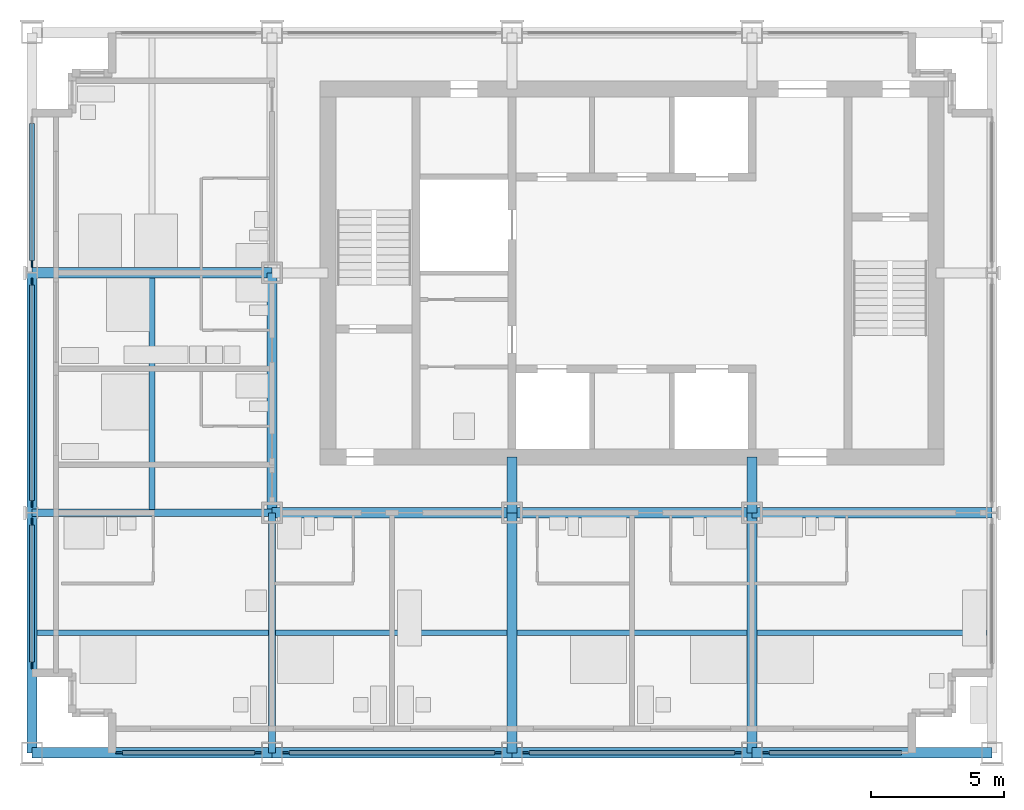
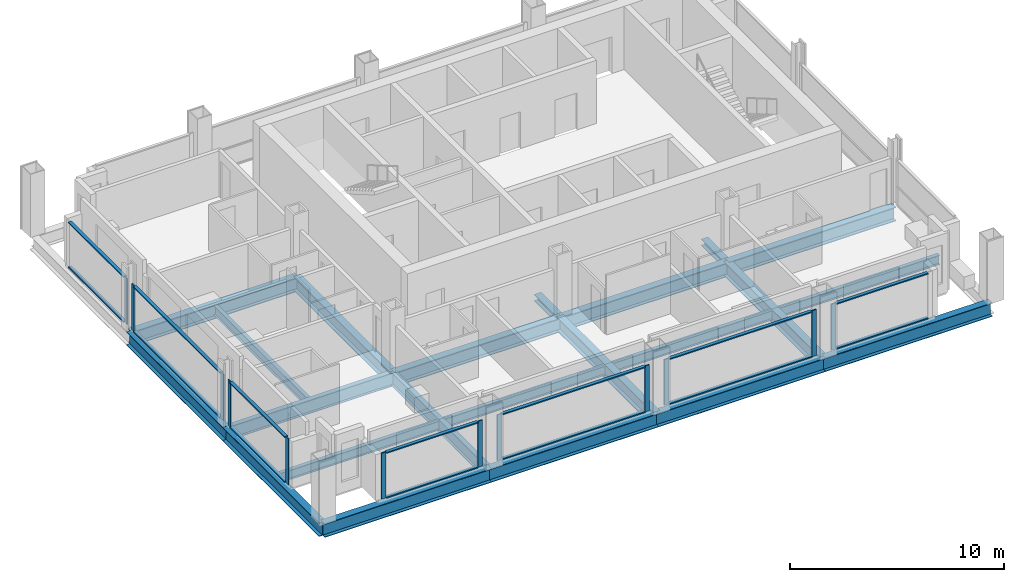
# One storey, part 2 of 12: 28 members, 20 beams, 7 elements without a shape of their own.
"""IFC4 building model written with IfcOpenShell, lengths in metres."""

from ifc_helpers import new_model, si_unit, direction, frame, origin, origin_2d, place, context, subcontext, project, spatial, rectangle, i_section, extrude, material, material_profile, profile_set, type_object, element, aggregate, save


model = new_model("IFC4")

# Units and contexts
model_context = context("Model", 3, precision=1e-05, world=origin(), true_north=direction((0.0, 1.0)))
body_context = subcontext(model_context, "Body", "Model", "MODEL_VIEW")
ifc_project = project(units=[si_unit("LENGTHUNIT", "METRE"), si_unit("AREAUNIT", "SQUARE_METRE"), si_unit("VOLUMEUNIT", "CUBIC_METRE"), si_unit("PLANEANGLEUNIT", "RADIAN"), si_unit("MASSUNIT", "GRAM", prefix="KILO")], contexts=[model_context])

# Site, building, storey
site_placement = place(None, origin())
site = spatial("IfcSite", under=ifc_project, at=site_placement, CompositionType="ELEMENT")
building_placement = place(site_placement, origin())
building = spatial("IfcBuilding", under=site, at=building_placement, Name="Loomwork Tower", CompositionType="ELEMENT")
storey_placement = place(building_placement, frame((0.0, 0.0, 230.199951171875)))
storey = spatial("IfcBuildingStorey", under=building, at=storey_placement, Name="L63", CompositionType="ELEMENT", Elevation=230.199951171875)

# Beams
ifc_material_1 = material(Name="Steel ASTM A992", Category="steel")
ifc_material_profile_1 = material_profile(ifc_material_1, i_section(OverallWidth=0.383544921875, OverallDepth=0.794921875, WebThickness=0.02099609375, FlangeThickness=0.0380859375, at=origin_2d()), Name="W30x235")
ifc_profile_set_1 = profile_set([ifc_material_profile_1], Name="Steel ASTM A992")
beam_type_1 = type_object("IfcBeamType", Name="CORE FLANK GIRDER W30x235", PredefinedType="BEAM", material=ifc_profile_set_1)
for number, where, z_axis, x_axis, name in (
    (1, (9.0, 9.0, -0.597412109375), (1.0, 0.0, 0.0), (0.0, 1.0, 0.0), "Core Flank Girder E/3-E/4 L63"),
    (2, (18.0, 9.0, -0.597412109375), (1.0, 0.0, 0.0), (0.0, 1.0, 0.0), "Core Flank Girder E/4-E/5 L63"),
    (3, (27.0, 9.0, -0.597412109375), (1.0, 0.0, 0.0), (0.0, 1.0, 0.0), "Core Flank Girder E/5-E/6 L63"),
    (4, (0.0, 18.0, -0.597412109375), (1.0, 0.0, 0.0), (0.0, 1.0, 0.0), "Core Flank Girder F/2-F/3 L63"),
    (5, (9.0, 9.0, -0.597412109375), (0.0, 1.0, 0.0), (-1.0, 0.0, 0.0), "Core Flank Girder E/3-F/3 L63"),
    (6, (18.0, 0.0, -0.597412109375), (0.0, 1.0, 0.0), (-1.0, 0.0, 0.0), "Core Flank Girder D/4-E/4 L63"),
    (7, (27.0, 0.0, -0.597412109375), (0.0, 1.0, 0.0), (-1.0, 0.0, 0.0), "Core Flank Girder D/5-E/5 L63"),
):
    element("IfcBeam", number, at=place(storey_placement, frame(where, z_axis=z_axis, x_axis=x_axis)), inside=storey, type_object=beam_type_1, Name=name, PredefinedType="BEAM", context=body_context, shape_type="SweptSolid", body=[
        extrude(i_section(OverallWidth=0.383544921875, OverallDepth=0.794921875, WebThickness=0.02099609375, FlangeThickness=0.0380859375, at=origin_2d()), origin(), (0.0, 0.0, 1.0), 9.0),
    ])

# Members
ifc_material_2 = material(Name="Steel ASTM A992", Category="steel")
ifc_material_profile_2 = material_profile(ifc_material_2, i_section(OverallWidth=0.373291015625, OverallDepth=0.373291015625, WebThickness=0.016357421875, FlangeThickness=0.026123046875, at=origin_2d()), Name="W14x132")
ifc_profile_set_2 = profile_set([ifc_material_profile_2], Name="Steel ASTM A992")
member_type_1 = type_object("IfcMemberType", Name="CORE LINK STRUT W14x132", PredefinedType="STRUT", material=ifc_profile_set_2)
for number, where, z_axis, x_axis, name in (
    (8, (18.0, 9.0, -0.38671875), (0.0, 1.0, 0.0), (-1.0, 0.0, 0.0), "Core link strut E/4-18.000,11.100 L63"),
    (9, (27.0, 9.0, -0.38671875), (0.0, 1.0, 0.0), (-1.0, 0.0, 0.0), "Core link strut E/5-27.000,11.100 L63"),
):
    element("IfcMember", number, at=place(storey_placement, frame(where, z_axis=z_axis, x_axis=x_axis)), inside=storey, type_object=member_type_1, Name=name, PredefinedType="STRUT", context=body_context, shape_type="SweptSolid", body=[
        extrude(i_section(OverallWidth=0.373291015625, OverallDepth=0.373291015625, WebThickness=0.016357421875, FlangeThickness=0.026123046875, at=origin_2d()), origin(), (0.0, 0.0, 1.0), 2.10009765625),
    ])

# Beams
ifc_material_3 = material(Name="Steel ASTM A992", Category="steel")
ifc_material_profile_3 = material_profile(ifc_material_3, i_section(OverallWidth=0.2666015625, OverallDepth=0.761962890625, WebThickness=0.014404296875, FlangeThickness=0.021484375, at=origin_2d()), Name="W30x116")
ifc_profile_set_3 = profile_set([ifc_material_profile_3], Name="Steel ASTM A992")
beam_type_2 = type_object("IfcBeamType", Name="FLOOR GIRDER W30x116", PredefinedType="BEAM", material=ifc_profile_set_3)
for number, where, z_axis, x_axis, name in (
    (10, (0.0, 9.0, -0.5810546875), (1.0, 0.0, 0.0), (0.0, 1.0, 0.0), "Floor Girder E/2-E/3 L63"),
    (11, (9.0, 0.0, -0.5810546875), (0.0, 1.0, 0.0), (-1.0, 0.0, 0.0), "Floor Girder D/3-E/3 L63"),
):
    element("IfcBeam", number, at=place(storey_placement, frame(where, z_axis=z_axis, x_axis=x_axis)), inside=storey, type_object=beam_type_2, Name=name, PredefinedType="BEAM", context=body_context, shape_type="SweptSolid", body=[
        extrude(i_section(OverallWidth=0.2666015625, OverallDepth=0.761962890625, WebThickness=0.014404296875, FlangeThickness=0.021484375, at=origin_2d()), origin(), (0.0, 0.0, 1.0), 9.0),
    ])
ifc_material_4 = material(Name="Steel ASTM A992", Category="steel")
ifc_material_profile_4 = material_profile(ifc_material_4, i_section(OverallWidth=0.2109375, OverallDepth=0.53857421875, WebThickness=0.011474609375, FlangeThickness=0.018798828125, at=origin_2d()), Name="W21x73")
ifc_profile_set_4 = profile_set([ifc_material_profile_4], Name="Steel ASTM A992")
beam_type_3 = type_object("IfcBeamType", Name="FLOOR JOIST W21x73", PredefinedType="JOIST", material=ifc_profile_set_4)
beam_1_placement = place(storey_placement, frame((0.18994140625, 4.5, -0.46923828125), z_axis=(1.0, 0.0, 0.0), x_axis=(0.0, 1.0, 0.0)))
element("IfcBeam", 12, at=beam_1_placement, inside=storey, type_object=beam_type_3, Name="Floor Joist 0.000,4.500-9.000,4.500 L63", PredefinedType="JOIST", context=body_context, shape_type="SweptSolid", body=[
    extrude(i_section(OverallWidth=0.2109375, OverallDepth=0.53857421875, WebThickness=0.011474609375, FlangeThickness=0.018798828125, at=origin_2d()), origin(), (0.0, 0.0, 1.0), 8.677001953125),
])
for number, where, z_axis, x_axis, name in (
    (13, (4.5, 9.133056640625, -0.46923828125), (0.0, 1.0, 0.0), (-1.0, 0.0, 0.0), "Floor Joist 4.500,9.000-4.500,18.000 L63"),
    (14, (9.133056640625, 4.5, -0.46923828125), (1.0, 0.0, 0.0), (0.0, 1.0, 0.0), "Floor Joist 9.000,4.500-18.000,4.500 L63"),
):
    element("IfcBeam", number, at=place(storey_placement, frame(where, z_axis=z_axis, x_axis=x_axis)), inside=storey, type_object=beam_type_3, Name=name, PredefinedType="JOIST", context=body_context, shape_type="SweptSolid", body=[
        extrude(i_section(OverallWidth=0.2109375, OverallDepth=0.53857421875, WebThickness=0.011474609375, FlangeThickness=0.018798828125, at=origin_2d()), origin(), (0.0, 0.0, 1.0), 8.676025390625),
    ])
beam_2_placement = place(storey_placement, frame((18.19091796875, 4.5, -0.46923828125), z_axis=(1.0, 0.0, 0.0), x_axis=(0.0, 1.0, 0.0)))
element("IfcBeam", 15, at=beam_2_placement, inside=storey, type_object=beam_type_3, Name="Floor Joist 18.000,4.500-27.000,4.500 L63", PredefinedType="JOIST", context=body_context, shape_type="SweptSolid", body=[
    extrude(i_section(OverallWidth=0.2109375, OverallDepth=0.53857421875, WebThickness=0.011474609375, FlangeThickness=0.018798828125, at=origin_2d()), origin(), (0.0, 0.0, 1.0), 8.6181640625),
])
beam_3_placement = place(storey_placement, frame((27.19091796875, 4.5, -0.46923828125), z_axis=(1.0, 0.0, 0.0), x_axis=(0.0, 1.0, 0.0)))
element("IfcBeam", 16, at=beam_3_placement, inside=storey, type_object=beam_type_3, Name="Floor Joist 27.000,4.500-36.000,4.500 L63", PredefinedType="JOIST", context=body_context, shape_type="SweptSolid", body=[
    extrude(i_section(OverallWidth=0.2109375, OverallDepth=0.53857421875, WebThickness=0.011474609375, FlangeThickness=0.018798828125, at=origin_2d()), origin(), (0.0, 0.0, 1.0), 8.619140625),
])

# Curtain wall, members
ifc_material_5 = material(Name="Aluminium curtain wall frame", Category="aluminium")
curtain_wall_type = type_object("IfcCurtainWallType", Name="Outer skin glazing suites", PredefinedType="NOTDEFINED", material=ifc_material_5)
curtain_wall_1_placement = place(storey_placement, origin())
curtain_wall_1 = element("IfcCurtainWall", 17, at=curtain_wall_1_placement, inside=storey, type_object=curtain_wall_type, Name="Outer skin glazing suites cw/S-0", PredefinedType="NOTDEFINED")
ifc_material_6 = material(Name="Aluminium curtain wall frame", Category="aluminium")
ifc_material_profile_5 = material_profile(ifc_material_6, rectangle(XDim=0.06494140625, YDim=0.25, at=origin_2d()), Name="AL 65x250")
ifc_profile_set_5 = profile_set([ifc_material_profile_5], Name="Aluminium curtain wall frame")
member_type_2 = type_object("IfcMemberType", Name="Outer skin glazing suites mullion", PredefinedType="MULLION", material=ifc_profile_set_5)
member_1_placement = place(storey_placement, frame((3.27490234375, 0.0, 0.0), z_axis=(0.0, 0.0, 1.0), x_axis=(0.0, 1.0, 0.0)))
member_1 = element("IfcMember", 18, at=member_1_placement, type_object=member_type_2, Name="CW2 mullion 1", PredefinedType="MULLION", context=body_context, shape_type="SweptSolid", body=[
    extrude(rectangle(XDim=0.06494140625, YDim=0.25, at=origin_2d()), origin(), (0.0, 0.0, 1.0), 2.620361328125),
])
member_2_placement = place(storey_placement, frame((8.47509765625, 0.0, 0.0), z_axis=(0.0, 0.0, 1.0), x_axis=(0.0, 1.0, 0.0)))
member_2 = element("IfcMember", 19, at=member_2_placement, type_object=member_type_2, Name="CW2 mullion 2", PredefinedType="MULLION", context=body_context, shape_type="SweptSolid", body=[
    extrude(rectangle(XDim=0.06494140625, YDim=0.25, at=origin_2d()), origin(), (0.0, 0.0, 1.0), 2.620361328125),
])

curtain_wall_2_placement = place(storey_placement, origin())
curtain_wall_2 = element("IfcCurtainWall", 20, at=curtain_wall_2_placement, inside=storey, type_object=curtain_wall_type, Name="Outer skin glazing suites cw/S-9", PredefinedType="NOTDEFINED")
member_3_placement = place(storey_placement, frame((9.52490234375, 0.0, 0.0), z_axis=(0.0, 0.0, 1.0), x_axis=(0.0, 1.0, 0.0)))
member_3 = element("IfcMember", 21, at=member_3_placement, type_object=member_type_2, Name="CW2 mullion 1", PredefinedType="MULLION", context=body_context, shape_type="SweptSolid", body=[
    extrude(rectangle(XDim=0.06494140625, YDim=0.25, at=origin_2d()), origin(), (0.0, 0.0, 1.0), 2.620361328125),
])
member_4_placement = place(storey_placement, frame((17.47509765625, 0.0, 0.0), z_axis=(0.0, 0.0, 1.0), x_axis=(0.0, 1.0, 0.0)))
member_4 = element("IfcMember", 22, at=member_4_placement, type_object=member_type_2, Name="CW2 mullion 2", PredefinedType="MULLION", context=body_context, shape_type="SweptSolid", body=[
    extrude(rectangle(XDim=0.06494140625, YDim=0.25, at=origin_2d()), origin(), (0.0, 0.0, 1.0), 2.620361328125),
])

curtain_wall_3_placement = place(storey_placement, origin())
curtain_wall_3 = element("IfcCurtainWall", 23, at=curtain_wall_3_placement, inside=storey, type_object=curtain_wall_type, Name="Outer skin glazing suites cw/S-18", PredefinedType="NOTDEFINED")
member_5_placement = place(storey_placement, frame((18.52490234375, 0.0, 0.0), z_axis=(0.0, 0.0, 1.0), x_axis=(0.0, 1.0, 0.0)))
member_5 = element("IfcMember", 24, at=member_5_placement, type_object=member_type_2, Name="CW2 mullion 1", PredefinedType="MULLION", context=body_context, shape_type="SweptSolid", body=[
    extrude(rectangle(XDim=0.06494140625, YDim=0.25, at=origin_2d()), origin(), (0.0, 0.0, 1.0), 2.620361328125),
])
member_6_placement = place(storey_placement, frame((26.47509765625, 0.0, 0.0), z_axis=(0.0, 0.0, 1.0), x_axis=(0.0, 1.0, 0.0)))
member_6 = element("IfcMember", 25, at=member_6_placement, type_object=member_type_2, Name="CW2 mullion 2", PredefinedType="MULLION", context=body_context, shape_type="SweptSolid", body=[
    extrude(rectangle(XDim=0.06494140625, YDim=0.25, at=origin_2d()), origin(), (0.0, 0.0, 1.0), 2.620361328125),
])

# Curtain wall, member
curtain_wall_4_placement = place(storey_placement, origin())
curtain_wall_4 = element("IfcCurtainWall", 26, at=curtain_wall_4_placement, inside=storey, type_object=curtain_wall_type, Name="Outer skin glazing suites cw/S-27", PredefinedType="NOTDEFINED")
member_7_placement = place(storey_placement, frame((27.52490234375, 0.0, 0.0), z_axis=(0.0, 0.0, 1.0), x_axis=(0.0, 1.0, 0.0)))
member_7 = element("IfcMember", 27, at=member_7_placement, type_object=member_type_2, Name="CW2 mullion 1", PredefinedType="MULLION", context=body_context, shape_type="SweptSolid", body=[
    extrude(rectangle(XDim=0.06494140625, YDim=0.25, at=origin_2d()), origin(), (0.0, 0.0, 1.0), 2.620361328125),
])

# Curtain wall, members
curtain_wall_5_placement = place(storey_placement, origin())
curtain_wall_5 = element("IfcCurtainWall", 28, at=curtain_wall_5_placement, inside=storey, type_object=curtain_wall_type, Name="Outer skin glazing suites cw/W-0", PredefinedType="NOTDEFINED")
member_8_placement = place(storey_placement, frame((0.0, 8.664306640625, 0.0), z_axis=(0.0, 0.0, 1.0), x_axis=(1.0, 0.0, 0.0)))
member_8 = element("IfcMember", 29, at=member_8_placement, type_object=member_type_2, Name="CW2 mullion 1", PredefinedType="MULLION", context=body_context, shape_type="SweptSolid", body=[
    extrude(rectangle(XDim=0.06494140625, YDim=0.25, at=origin_2d()), origin(), (0.0, 0.0, 1.0), 2.620361328125),
])
member_9_placement = place(storey_placement, frame((0.0, 3.27490234375, 0.0), z_axis=(0.0, 0.0, 1.0), x_axis=(1.0, 0.0, 0.0)))
member_9 = element("IfcMember", 30, at=member_9_placement, type_object=member_type_2, Name="CW2 mullion 2", PredefinedType="MULLION", context=body_context, shape_type="SweptSolid", body=[
    extrude(rectangle(XDim=0.06494140625, YDim=0.25, at=origin_2d()), origin(), (0.0, 0.0, 1.0), 2.620361328125),
])

curtain_wall_6_placement = place(storey_placement, origin())
curtain_wall_6 = element("IfcCurtainWall", 31, at=curtain_wall_6_placement, inside=storey, type_object=curtain_wall_type, Name="Outer skin glazing suites cw/W-9", PredefinedType="NOTDEFINED")
member_10_placement = place(storey_placement, frame((0.0, 17.664306640625, 0.0), z_axis=(0.0, 0.0, 1.0), x_axis=(1.0, 0.0, 0.0)))
member_10 = element("IfcMember", 32, at=member_10_placement, type_object=member_type_2, Name="CW2 mullion 1", PredefinedType="MULLION", context=body_context, shape_type="SweptSolid", body=[
    extrude(rectangle(XDim=0.06494140625, YDim=0.25, at=origin_2d()), origin(), (0.0, 0.0, 1.0), 2.620361328125),
])
member_11_placement = place(storey_placement, frame((0.0, 9.335693359375, 0.0), z_axis=(0.0, 0.0, 1.0), x_axis=(1.0, 0.0, 0.0)))
member_11 = element("IfcMember", 33, at=member_11_placement, type_object=member_type_2, Name="CW2 mullion 2", PredefinedType="MULLION", context=body_context, shape_type="SweptSolid", body=[
    extrude(rectangle(XDim=0.06494140625, YDim=0.25, at=origin_2d()), origin(), (0.0, 0.0, 1.0), 2.620361328125),
])

# Curtain wall, member
curtain_wall_7_placement = place(storey_placement, origin())
curtain_wall_7 = element("IfcCurtainWall", 34, at=curtain_wall_7_placement, inside=storey, type_object=curtain_wall_type, Name="Outer skin glazing suites cw/W-18", PredefinedType="NOTDEFINED")
member_12_placement = place(storey_placement, frame((0.0, 18.335693359375, 0.0), z_axis=(0.0, 0.0, 1.0), x_axis=(1.0, 0.0, 0.0)))
member_12 = element("IfcMember", 35, at=member_12_placement, type_object=member_type_2, Name="CW2 mullion 2", PredefinedType="MULLION", context=body_context, shape_type="SweptSolid", body=[
    extrude(rectangle(XDim=0.06494140625, YDim=0.25, at=origin_2d()), origin(), (0.0, 0.0, 1.0), 2.620361328125),
])

# Member
ifc_material_7 = material(Name="Aluminium curtain wall frame", Category="aluminium")
ifc_material_profile_6 = material_profile(ifc_material_7, rectangle(XDim=0.179931640625, YDim=0.06494140625, at=origin_2d()), Name="AL 65x180")
ifc_profile_set_6 = profile_set([ifc_material_profile_6], Name="Aluminium curtain wall frame")
member_type_3 = type_object("IfcMemberType", Name="Outer skin glazing suites transom", PredefinedType="USERDEFINED", material=ifc_profile_set_6)
member_13_placement = place(storey_placement, frame((3.39990234375, 0.0, 0.032470703125), z_axis=(1.0, 0.0, 0.0), x_axis=(0.0, 1.0, 0.0)))
member_13 = element("IfcMember", 36, at=member_13_placement, type_object=member_type_3, Name="CW2 transom 1.1", ObjectType="TRANSOM", PredefinedType="USERDEFINED", context=body_context, shape_type="SweptSolid", body=[
    extrude(rectangle(XDim=0.179931640625, YDim=0.06494140625, at=origin_2d()), origin(), (0.0, 0.0, 1.0), 4.9501953125),
])

member_14_placement = place(storey_placement, frame((3.39990234375, 0.0, 2.587646484375), z_axis=(1.0, 0.0, 0.0), x_axis=(0.0, 1.0, 0.0)))
member_14 = element("IfcMember", 37, at=member_14_placement, type_object=member_type_3, Name="CW2 transom 1.2", ObjectType="TRANSOM", PredefinedType="USERDEFINED", context=body_context, shape_type="SweptSolid", body=[
    extrude(rectangle(XDim=0.179931640625, YDim=0.06494140625, at=origin_2d()), origin(), (0.0, 0.0, 1.0), 4.9501953125),
])

aggregate(curtain_wall_1, [member_1, member_2, member_13, member_14])

member_15_placement = place(storey_placement, frame((9.64990234375, 0.0, 0.032470703125), z_axis=(1.0, 0.0, 0.0), x_axis=(0.0, 1.0, 0.0)))
member_15 = element("IfcMember", 38, at=member_15_placement, type_object=member_type_3, Name="CW2 transom 1.1", ObjectType="TRANSOM", PredefinedType="USERDEFINED", context=body_context, shape_type="SweptSolid", body=[
    extrude(rectangle(XDim=0.179931640625, YDim=0.06494140625, at=origin_2d()), origin(), (0.0, 0.0, 1.0), 7.7001953125),
])

member_16_placement = place(storey_placement, frame((9.64990234375, 0.0, 2.587646484375), z_axis=(1.0, 0.0, 0.0), x_axis=(0.0, 1.0, 0.0)))
member_16 = element("IfcMember", 39, at=member_16_placement, type_object=member_type_3, Name="CW2 transom 1.2", ObjectType="TRANSOM", PredefinedType="USERDEFINED", context=body_context, shape_type="SweptSolid", body=[
    extrude(rectangle(XDim=0.179931640625, YDim=0.06494140625, at=origin_2d()), origin(), (0.0, 0.0, 1.0), 7.7001953125),
])

aggregate(curtain_wall_2, [member_3, member_4, member_15, member_16])

member_17_placement = place(storey_placement, frame((18.64990234375, 0.0, 0.032470703125), z_axis=(1.0, 0.0, 0.0), x_axis=(0.0, 1.0, 0.0)))
member_17 = element("IfcMember", 40, at=member_17_placement, type_object=member_type_3, Name="CW2 transom 1.1", ObjectType="TRANSOM", PredefinedType="USERDEFINED", context=body_context, shape_type="SweptSolid", body=[
    extrude(rectangle(XDim=0.179931640625, YDim=0.06494140625, at=origin_2d()), origin(), (0.0, 0.0, 1.0), 7.7001953125),
])

member_18_placement = place(storey_placement, frame((18.64990234375, 0.0, 2.587646484375), z_axis=(1.0, 0.0, 0.0), x_axis=(0.0, 1.0, 0.0)))
member_18 = element("IfcMember", 41, at=member_18_placement, type_object=member_type_3, Name="CW2 transom 1.2", ObjectType="TRANSOM", PredefinedType="USERDEFINED", context=body_context, shape_type="SweptSolid", body=[
    extrude(rectangle(XDim=0.179931640625, YDim=0.06494140625, at=origin_2d()), origin(), (0.0, 0.0, 1.0), 7.7001953125),
])

aggregate(curtain_wall_3, [member_5, member_6, member_17, member_18])

member_19_placement = place(storey_placement, frame((27.64990234375, 0.0, 0.032470703125), z_axis=(1.0, 0.0, 0.0), x_axis=(0.0, 1.0, 0.0)))
member_19 = element("IfcMember", 42, at=member_19_placement, type_object=member_type_3, Name="CW2 transom 1.1", ObjectType="TRANSOM", PredefinedType="USERDEFINED", context=body_context, shape_type="SweptSolid", body=[
    extrude(rectangle(XDim=0.179931640625, YDim=0.06494140625, at=origin_2d()), origin(), (0.0, 0.0, 1.0), 4.9501953125),
])

member_20_placement = place(storey_placement, frame((27.64990234375, 0.0, 2.587646484375), z_axis=(1.0, 0.0, 0.0), x_axis=(0.0, 1.0, 0.0)))
member_20 = element("IfcMember", 43, at=member_20_placement, type_object=member_type_3, Name="CW2 transom 1.2", ObjectType="TRANSOM", PredefinedType="USERDEFINED", context=body_context, shape_type="SweptSolid", body=[
    extrude(rectangle(XDim=0.179931640625, YDim=0.06494140625, at=origin_2d()), origin(), (0.0, 0.0, 1.0), 4.9501953125),
])

aggregate(curtain_wall_4, [member_7, member_19, member_20])

member_21_placement = place(storey_placement, frame((0.0, 8.539306640625, 0.032470703125), z_axis=(0.0, -1.0, 0.0), x_axis=(1.0, 0.0, 0.0)))
member_21 = element("IfcMember", 44, at=member_21_placement, type_object=member_type_3, Name="CW2 transom 1.1", ObjectType="TRANSOM", PredefinedType="USERDEFINED", context=body_context, shape_type="SweptSolid", body=[
    extrude(rectangle(XDim=0.179931640625, YDim=0.06494140625, at=origin_2d()), origin(), (0.0, 0.0, 1.0), 5.139404296875),
])

member_22_placement = place(storey_placement, frame((0.0, 8.539306640625, 2.587646484375), z_axis=(0.0, -1.0, 0.0), x_axis=(1.0, 0.0, 0.0)))
member_22 = element("IfcMember", 45, at=member_22_placement, type_object=member_type_3, Name="CW2 transom 1.2", ObjectType="TRANSOM", PredefinedType="USERDEFINED", context=body_context, shape_type="SweptSolid", body=[
    extrude(rectangle(XDim=0.179931640625, YDim=0.06494140625, at=origin_2d()), origin(), (0.0, 0.0, 1.0), 5.139404296875),
])

aggregate(curtain_wall_5, [member_8, member_9, member_21, member_22])

member_23_placement = place(storey_placement, frame((0.0, 17.539306640625, 0.032470703125), z_axis=(0.0, -1.0, 0.0), x_axis=(1.0, 0.0, 0.0)))
member_23 = element("IfcMember", 46, at=member_23_placement, type_object=member_type_3, Name="CW2 transom 1.1", ObjectType="TRANSOM", PredefinedType="USERDEFINED", context=body_context, shape_type="SweptSolid", body=[
    extrude(rectangle(XDim=0.179931640625, YDim=0.06494140625, at=origin_2d()), origin(), (0.0, 0.0, 1.0), 8.07861328125),
])

member_24_placement = place(storey_placement, frame((0.0, 17.539306640625, 2.587646484375), z_axis=(0.0, -1.0, 0.0), x_axis=(1.0, 0.0, 0.0)))
member_24 = element("IfcMember", 47, at=member_24_placement, type_object=member_type_3, Name="CW2 transom 1.2", ObjectType="TRANSOM", PredefinedType="USERDEFINED", context=body_context, shape_type="SweptSolid", body=[
    extrude(rectangle(XDim=0.179931640625, YDim=0.06494140625, at=origin_2d()), origin(), (0.0, 0.0, 1.0), 8.07861328125),
])

aggregate(curtain_wall_6, [member_10, member_11, member_23, member_24])

member_25_placement = place(storey_placement, frame((0.0, 23.60009765625, 0.032470703125), z_axis=(0.0, -1.0, 0.0), x_axis=(1.0, 0.0, 0.0)))
member_25 = element("IfcMember", 48, at=member_25_placement, type_object=member_type_3, Name="CW2 transom 1.1", ObjectType="TRANSOM", PredefinedType="USERDEFINED", context=body_context, shape_type="SweptSolid", body=[
    extrude(rectangle(XDim=0.179931640625, YDim=0.06494140625, at=origin_2d()), origin(), (0.0, 0.0, 1.0), 5.139404296875),
])

member_26_placement = place(storey_placement, frame((0.0, 23.60009765625, 2.587646484375), z_axis=(0.0, -1.0, 0.0), x_axis=(1.0, 0.0, 0.0)))
member_26 = element("IfcMember", 49, at=member_26_placement, type_object=member_type_3, Name="CW2 transom 1.2", ObjectType="TRANSOM", PredefinedType="USERDEFINED", context=body_context, shape_type="SweptSolid", body=[
    extrude(rectangle(XDim=0.179931640625, YDim=0.06494140625, at=origin_2d()), origin(), (0.0, 0.0, 1.0), 5.139404296875),
])

aggregate(curtain_wall_7, [member_12, member_25, member_26])

# Beams
ifc_material_8 = material(Name="Steel ASTM A992", Category="steel")
ifc_material_profile_7 = material_profile(ifc_material_8, i_section(OverallWidth=0.381103515625, OverallDepth=0.77978515625, WebThickness=0.01806640625, FlangeThickness=0.0302734375, at=origin_2d()), Name="W30x191")
ifc_profile_set_7 = profile_set([ifc_material_profile_7], Name="Steel ASTM A992")
beam_type_4 = type_object("IfcBeamType", Name="SPANDREL GIRDER W30x191", PredefinedType="SPANDREL", material=ifc_profile_set_7)
for number, where, z_axis, x_axis, name in (
    (50, (0.0, 0.0, -0.58984375), (1.0, 0.0, 0.0), (0.0, 1.0, 0.0), "Spandrel Girder D/2-D/3 L63"),
    (51, (9.0, 0.0, -0.58984375), (1.0, 0.0, 0.0), (0.0, 1.0, 0.0), "Spandrel Girder D/3-D/4 L63"),
    (52, (18.0, 0.0, -0.58984375), (1.0, 0.0, 0.0), (0.0, 1.0, 0.0), "Spandrel Girder D/4-D/5 L63"),
    (53, (27.0, 0.0, -0.58984375), (1.0, 0.0, 0.0), (0.0, 1.0, 0.0), "Spandrel Girder D/5-D/6 L63"),
    (54, (0.0, 0.0, -0.58984375), (0.0, 1.0, 0.0), (-1.0, 0.0, 0.0), "Spandrel Girder D/2-E/2 L63"),
    (55, (0.0, 9.0, -0.58984375), (0.0, 1.0, 0.0), (-1.0, 0.0, 0.0), "Spandrel Girder E/2-F/2 L63"),
):
    element("IfcBeam", number, at=place(storey_placement, frame(where, z_axis=z_axis, x_axis=x_axis)), inside=storey, type_object=beam_type_4, Name=name, PredefinedType="SPANDREL", context=body_context, shape_type="SweptSolid", body=[
        extrude(i_section(OverallWidth=0.381103515625, OverallDepth=0.77978515625, WebThickness=0.01806640625, FlangeThickness=0.0302734375, at=origin_2d()), origin(), (0.0, 0.0, 1.0), 9.0),
    ])

save(model, "model.ifc")
